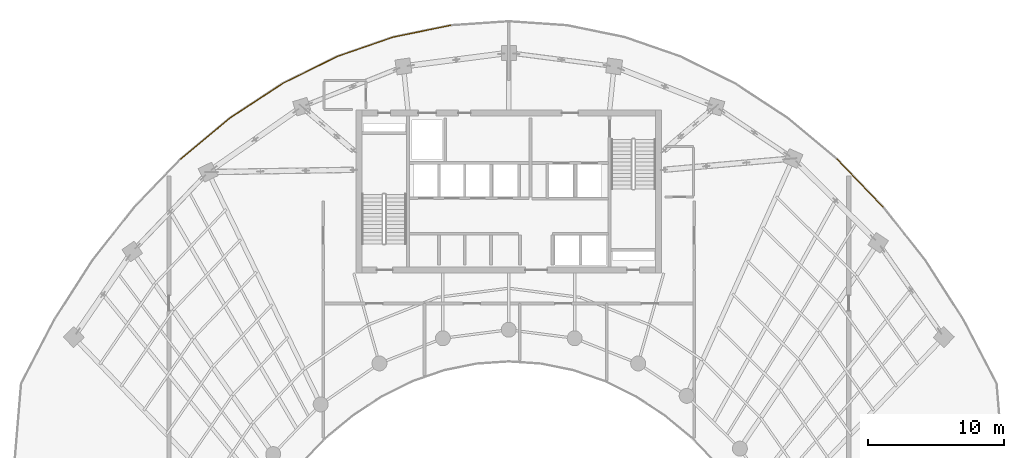
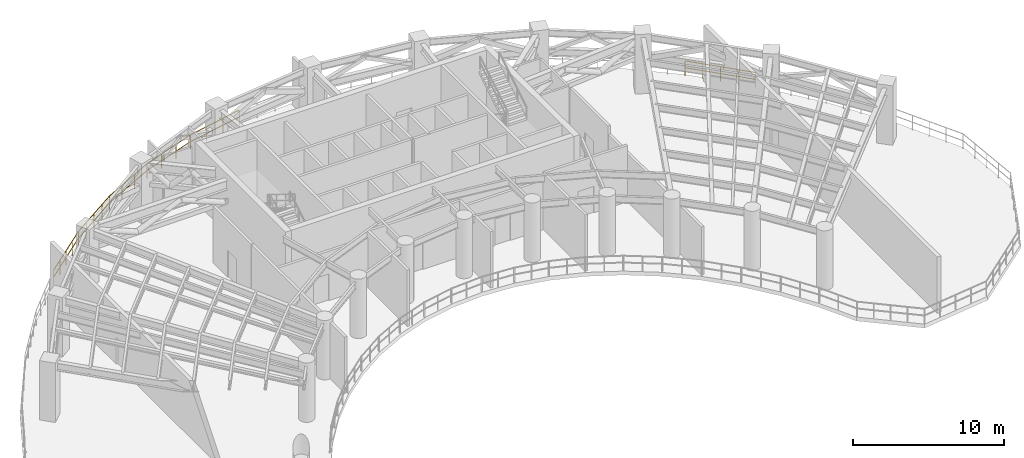
# One storey, part 17 of 19: 6 railings.
"""IFC4 building model written with IfcOpenShell, lengths in metres."""

from ifc_helpers import new_model, si_unit, direction, frame, origin, origin_2d, place, context, subcontext, project, spatial, rectangle, extrude, material, type_object, element, save


model = new_model("IFC4")

# Units and contexts
model_context = context("Model", 3, precision=1e-05, world=origin(), true_north=direction((0.0, 1.0)))
body_context = subcontext(model_context, "Body", "Model", "MODEL_VIEW")
ifc_project = project(units=[si_unit("LENGTHUNIT", "METRE"), si_unit("AREAUNIT", "SQUARE_METRE"), si_unit("VOLUMEUNIT", "CUBIC_METRE"), si_unit("PLANEANGLEUNIT", "RADIAN"), si_unit("MASSUNIT", "GRAM", prefix="KILO")], contexts=[model_context])

# Site, building, storey
site_placement = place(None, origin())
site = spatial("IfcSite", under=ifc_project, at=site_placement, CompositionType="ELEMENT")
building_placement = place(site_placement, origin())
building = spatial("IfcBuilding", under=site, at=building_placement, Name="Breltana Convention Tower", CompositionType="ELEMENT")
storey_placement = place(building_placement, frame((0.0, 0.0, 194.39990234375)))
storey = spatial("IfcBuildingStorey", under=building, at=storey_placement, Name="L47", CompositionType="ELEMENT", Elevation=194.39990234375)

# Railings
ifc_material = material(Name="Stainless Steel 316L", Category="steel")
railing_type = type_object("IfcRailingType", Name="RL-WIND-GUARD-1200", PredefinedType="BALUSTRADE", material=ifc_material)
railing_1_placement = place(storey_placement, frame((23.869873046875, 68.5810546875, 0.0)))
element("IfcRailing", 1, at=railing_1_placement, inside=storey, type_object=railing_type, Name="L47 perimeter balustrade 54", PredefinedType="BALUSTRADE", context=body_context, shape_type="SweptSolid", body=[
    extrude(rectangle(XDim=0.048095703125, YDim=0.048095703125, at=origin_2d()), frame((0.0, 0.0, 1.17578125), z_axis=(0.7679717109, 0.640483763461, 0.0), x_axis=(-0.640483763461, 0.7679717109, 0.0)), (0.0, 0.0, 1.0), 4.73193359375),
    extrude(rectangle(XDim=0.048095703125, YDim=0.048095703125, at=origin_2d()), frame((0.0, 0.0, 0.6240234375), z_axis=(0.7679717109, 0.640483763461, 0.0), x_axis=(-0.640483763461, 0.7679717109, 0.0)), (0.0, 0.0, 1.0), 4.73193359375),
    extrude(rectangle(XDim=0.0419921875, YDim=0.0419921875, at=origin_2d()), origin(), (0.0, 0.0, 1.0), 1.15185546875),
    extrude(rectangle(XDim=0.0419921875, YDim=0.0419921875, at=origin_2d()), frame((0.908447265625, 0.7578125, 0.0)), (0.0, 0.0, 1.0), 1.15185546875),
    extrude(rectangle(XDim=0.0419921875, YDim=0.0419921875, at=origin_2d()), frame((1.81689453125, 1.515380859375, 0.0)), (0.0, 0.0, 1.0), 1.15185546875),
    extrude(rectangle(XDim=0.0419921875, YDim=0.0419921875, at=origin_2d()), frame((2.7255859375, 2.27294921875, 0.0)), (0.0, 0.0, 1.0), 1.15185546875),
    extrude(rectangle(XDim=0.0419921875, YDim=0.0419921875, at=origin_2d()), frame((3.634033203125, 3.03076171875, 0.0)), (0.0, 0.0, 1.0), 1.15185546875),
])
railing_2_placement = place(storey_placement, frame((27.50390625, 71.61181640625, 0.0)))
element("IfcRailing", 2, at=railing_2_placement, inside=storey, type_object=railing_type, Name="L47 perimeter balustrade 55", PredefinedType="BALUSTRADE", context=body_context, shape_type="SweptSolid", body=[
    extrude(rectangle(XDim=0.048095703125, YDim=0.048095703125, at=origin_2d()), frame((0.0, 0.0, 1.17578125), z_axis=(0.835935222433, 0.548828118718, 0.0), x_axis=(-0.548828118718, 0.835935222433, 0.0)), (0.0, 0.0, 1.0), 4.596923828125),
    extrude(rectangle(XDim=0.048095703125, YDim=0.048095703125, at=origin_2d()), frame((0.0, 0.0, 0.6240234375), z_axis=(0.835935222433, 0.548828118718, 0.0), x_axis=(-0.548828118718, 0.835935222433, 0.0)), (0.0, 0.0, 1.0), 4.596923828125),
    extrude(rectangle(XDim=0.0419921875, YDim=0.0419921875, at=origin_2d()), origin(), (0.0, 0.0, 1.0), 1.15185546875),
    extrude(rectangle(XDim=0.0419921875, YDim=0.0419921875, at=origin_2d()), frame((0.960693359375, 0.630859375, 0.0)), (0.0, 0.0, 1.0), 1.15185546875),
    extrude(rectangle(XDim=0.0419921875, YDim=0.0419921875, at=origin_2d()), frame((1.92138671875, 1.261474609375, 0.0)), (0.0, 0.0, 1.0), 1.15185546875),
    extrude(rectangle(XDim=0.0419921875, YDim=0.0419921875, at=origin_2d()), frame((2.882080078125, 1.89208984375, 0.0)), (0.0, 0.0, 1.0), 1.15185546875),
    extrude(rectangle(XDim=0.0419921875, YDim=0.0419921875, at=origin_2d()), frame((3.8427734375, 2.52294921875, 0.0)), (0.0, 0.0, 1.0), 1.15185546875),
])
railing_3_placement = place(storey_placement, frame((31.3466796875, 74.134765625, 0.0)))
element("IfcRailing", 3, at=railing_3_placement, inside=storey, type_object=railing_type, Name="L47 perimeter balustrade 56", PredefinedType="BALUSTRADE", context=body_context, shape_type="SweptSolid", body=[
    extrude(rectangle(XDim=0.048095703125, YDim=0.048095703125, at=origin_2d()), frame((0.0, 0.0, 1.17578125), z_axis=(0.895969990972, 0.44411459701, 0.0), x_axis=(-0.44411459701, 0.895969990972, 0.0)), (0.0, 0.0, 1.0), 4.478515625),
    extrude(rectangle(XDim=0.048095703125, YDim=0.048095703125, at=origin_2d()), frame((0.0, 0.0, 0.6240234375), z_axis=(0.895969990972, 0.44411459701, 0.0), x_axis=(-0.44411459701, 0.895969990972, 0.0)), (0.0, 0.0, 1.0), 4.478515625),
    extrude(rectangle(XDim=0.0419921875, YDim=0.0419921875, at=origin_2d()), origin(), (0.0, 0.0, 1.0), 1.15185546875),
    extrude(rectangle(XDim=0.0419921875, YDim=0.0419921875, at=origin_2d()), frame((1.337646484375, 0.6630859375, 0.0)), (0.0, 0.0, 1.0), 1.15185546875),
    extrude(rectangle(XDim=0.0419921875, YDim=0.0419921875, at=origin_2d()), frame((2.675048828125, 1.325927734375, 0.0)), (0.0, 0.0, 1.0), 1.15185546875),
    extrude(rectangle(XDim=0.0419921875, YDim=0.0419921875, at=origin_2d()), frame((4.0126953125, 1.989013671875, 0.0)), (0.0, 0.0, 1.0), 1.15185546875),
])
railing_4_placement = place(storey_placement, frame((35.359375, 76.123779296875, 0.0)))
element("IfcRailing", 4, at=railing_4_placement, inside=storey, type_object=railing_type, Name="L47 perimeter balustrade 57", PredefinedType="BALUSTRADE", context=body_context, shape_type="SweptSolid", body=[
    extrude(rectangle(XDim=0.048095703125, YDim=0.048095703125, at=origin_2d()), frame((0.0, 0.0, 1.17578125), z_axis=(0.944879401388, 0.327418565192, 0.0), x_axis=(-0.327418565192, 0.944879401388, 0.0)), (0.0, 0.0, 1.0), 4.383056640625),
    extrude(rectangle(XDim=0.048095703125, YDim=0.048095703125, at=origin_2d()), frame((0.0, 0.0, 0.6240234375), z_axis=(0.944879401388, 0.327418565192, 0.0), x_axis=(-0.327418565192, 0.944879401388, 0.0)), (0.0, 0.0, 1.0), 4.383056640625),
    extrude(rectangle(XDim=0.0419921875, YDim=0.0419921875, at=origin_2d()), origin(), (0.0, 0.0, 1.0), 1.15185546875),
    extrude(rectangle(XDim=0.0419921875, YDim=0.0419921875, at=origin_2d()), frame((1.38037109375, 0.478271484375, 0.0)), (0.0, 0.0, 1.0), 1.15185546875),
    extrude(rectangle(XDim=0.0419921875, YDim=0.0419921875, at=origin_2d()), frame((2.760986328125, 0.956787109375, 0.0)), (0.0, 0.0, 1.0), 1.15185546875),
    extrude(rectangle(XDim=0.0419921875, YDim=0.0419921875, at=origin_2d()), frame((4.141357421875, 1.43505859375, 0.0)), (0.0, 0.0, 1.0), 1.15185546875),
])
railing_5_placement = place(storey_placement, frame((39.500732421875, 77.558837890625, 0.0)))
element("IfcRailing", 5, at=railing_5_placement, inside=storey, type_object=railing_type, Name="L47 perimeter balustrade 58", PredefinedType="BALUSTRADE", context=body_context, shape_type="SweptSolid", body=[
    extrude(rectangle(XDim=0.048095703125, YDim=0.048095703125, at=origin_2d()), frame((0.0, 0.0, 1.17578125), z_axis=(0.97961840065, 0.200867590987, 0.0), x_axis=(-0.200867590987, 0.97961840065, 0.0)), (0.0, 0.0, 1.0), 4.31591796875),
    extrude(rectangle(XDim=0.048095703125, YDim=0.048095703125, at=origin_2d()), frame((0.0, 0.0, 0.6240234375), z_axis=(0.97961840065, 0.200867590987, 0.0), x_axis=(-0.200867590987, 0.97961840065, 0.0)), (0.0, 0.0, 1.0), 4.31591796875),
    extrude(rectangle(XDim=0.0419921875, YDim=0.0419921875, at=origin_2d()), origin(), (0.0, 0.0, 1.0), 1.15185546875),
    extrude(rectangle(XDim=0.0419921875, YDim=0.0419921875, at=origin_2d()), frame((1.409423828125, 0.2890625, 0.0)), (0.0, 0.0, 1.0), 1.15185546875),
    extrude(rectangle(XDim=0.0419921875, YDim=0.0419921875, at=origin_2d()), frame((2.818603515625, 0.577880859375, 0.0)), (0.0, 0.0, 1.0), 1.15185546875),
    extrude(rectangle(XDim=0.0419921875, YDim=0.0419921875, at=origin_2d()), frame((4.22802734375, 0.866943359375, 0.0)), (0.0, 0.0, 1.0), 1.15185546875),
])
railing_6_placement = place(storey_placement, frame((72.130126953125, 68.5810546875, 0.0)))
element("IfcRailing", 6, at=railing_6_placement, inside=storey, type_object=railing_type, Name="L47 perimeter balustrade 66", PredefinedType="BALUSTRADE", context=body_context, shape_type="SweptSolid", body=[
    extrude(rectangle(XDim=0.048095703125, YDim=0.048095703125, at=origin_2d()), frame((0.0, 0.0, 1.17578125), z_axis=(0.694607022236, -0.7193893832, 0.0), x_axis=(0.7193893832, 0.694607022236, 0.0)), (0.0, 0.0, 1.0), 4.87646484375),
    extrude(rectangle(XDim=0.048095703125, YDim=0.048095703125, at=origin_2d()), frame((0.0, 0.0, 0.6240234375), z_axis=(0.694607022236, -0.7193893832, 0.0), x_axis=(0.7193893832, 0.694607022236, 0.0)), (0.0, 0.0, 1.0), 4.87646484375),
    extrude(rectangle(XDim=0.0419921875, YDim=0.0419921875, at=origin_2d()), origin(), (0.0, 0.0, 1.0), 1.15185546875),
    extrude(rectangle(XDim=0.0419921875, YDim=0.0419921875, at=origin_2d()), frame((0.8466796875, -0.876953125, 0.0)), (0.0, 0.0, 1.0), 1.15185546875),
    extrude(rectangle(XDim=0.0419921875, YDim=0.0419921875, at=origin_2d()), frame((1.693603515625, -1.75390625, 0.0)), (0.0, 0.0, 1.0), 1.15185546875),
    extrude(rectangle(XDim=0.0419921875, YDim=0.0419921875, at=origin_2d()), frame((2.54052734375, -2.631103515625, 0.0)), (0.0, 0.0, 1.0), 1.15185546875),
    extrude(rectangle(XDim=0.0419921875, YDim=0.0419921875, at=origin_2d()), frame((3.38720703125, -3.508056640625, 0.0)), (0.0, 0.0, 1.0), 1.15185546875),
])

save(model, "model.ifc")
